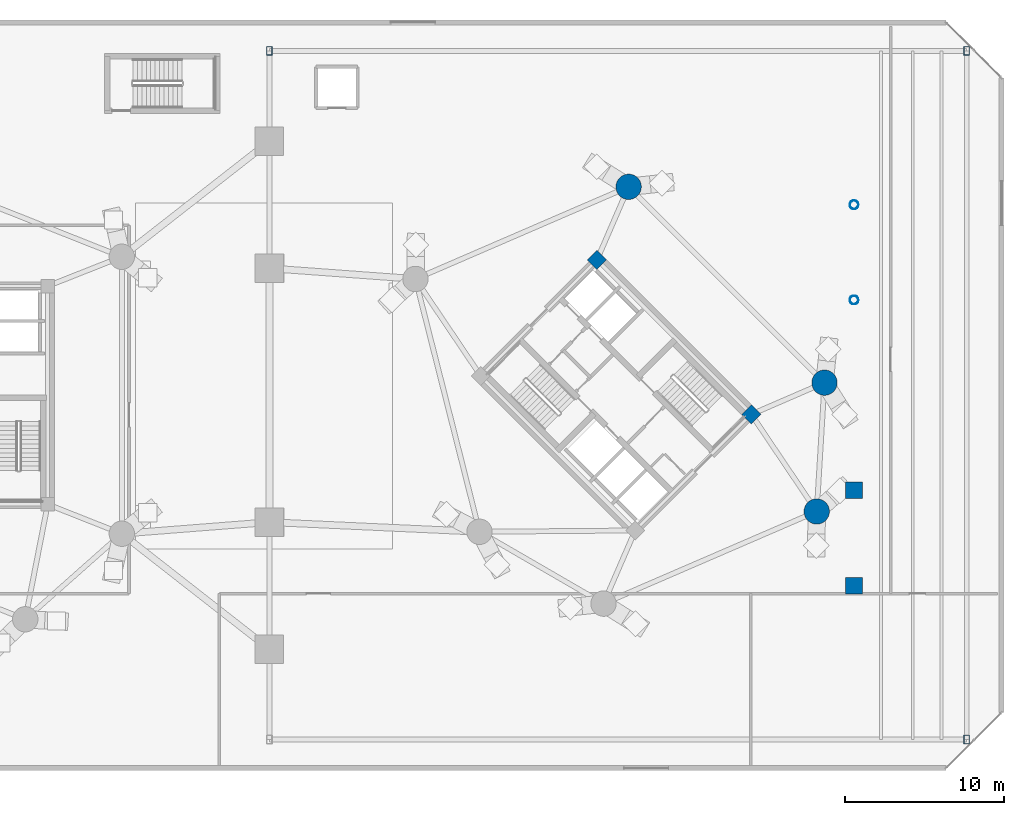
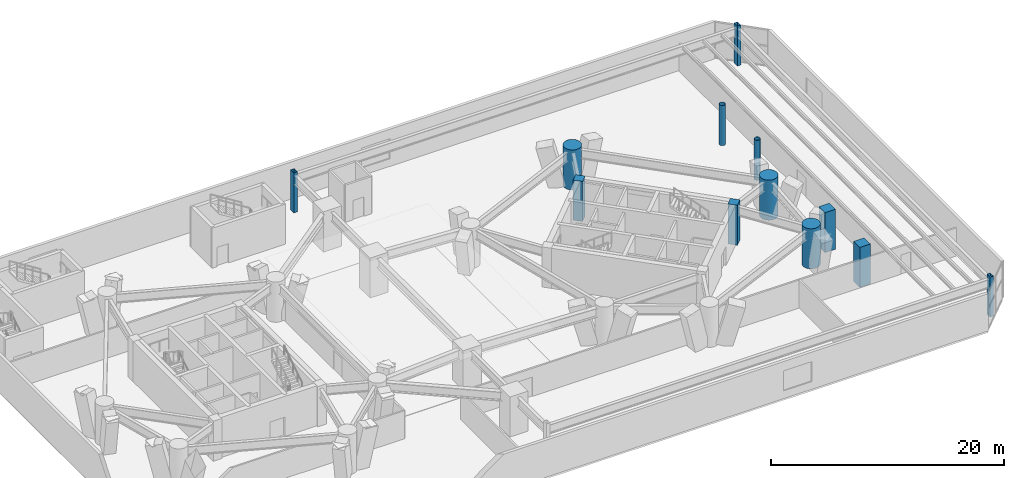
# One storey, part 2 of 20: 12 columns.
"""IFC4 building model written with IfcOpenShell, lengths in metres."""

from ifc_helpers import new_model, si_unit, direction, frame, origin, origin_2d, place, context, subcontext, project, spatial, rectangle, hollow_rectangle, circle, hollow_circle, extrude, material, material_profile, profile_set, type_object, element, save


model = new_model("IFC4")

# Units and contexts
model_context = context("Model", 3, precision=1e-05, world=origin(), true_north=direction((0.0, 1.0)))
body_context = subcontext(model_context, "Body", "Model", "MODEL_VIEW")
ifc_project = project(units=[si_unit("LENGTHUNIT", "METRE"), si_unit("AREAUNIT", "SQUARE_METRE"), si_unit("VOLUMEUNIT", "CUBIC_METRE"), si_unit("PLANEANGLEUNIT", "RADIAN"), si_unit("MASSUNIT", "GRAM", prefix="KILO")], contexts=[model_context])

# Site, building, storey
site_placement = place(None, origin())
site = spatial("IfcSite", under=ifc_project, at=site_placement, CompositionType="ELEMENT")
building_placement = place(site_placement, origin())
building = spatial("IfcBuilding", under=site, at=building_placement, Name="Cununo Teusaquillo Station Towers", CompositionType="ELEMENT")
storey_placement = place(building_placement, frame((0.0, 0.0, 4.800048828125)))
storey = spatial("IfcBuildingStorey", under=building, at=storey_placement, Name="L01", CompositionType="ELEMENT", Elevation=4.800048828125)

# Columns
ifc_material_1 = material(Name="Concrete C50/60", Category="concrete")
ifc_material_profile_1 = material_profile(ifc_material_1, rectangle(XDim=0.85009765625, YDim=0.85009765625, at=origin_2d()), Name="RC-RECT-850x850")
ifc_profile_set_1 = profile_set([ifc_material_profile_1], Name="Concrete C50/60")
column_type_1 = type_object("IfcColumnType", Name="COL-CORE-Z1", PredefinedType="COLUMN", material=ifc_profile_set_1)
for number, where, z_axis, x_axis, name in (
    (1, (66.024169921875, 23.29443359375, 0.0), (0.0, 0.0, 1.0), (0.707106781187, 0.707106781187, 0.0), "L01 Tower B Core Column 3"),
    (2, (56.29443359375, 33.024169921875, 0.0), (0.0, 0.0, 1.0), (0.707106781187, 0.707106781187, 0.0), "L01 Tower B Core Column 4"),
):
    element("IfcColumn", number, at=place(storey_placement, frame(where, z_axis=z_axis, x_axis=x_axis)), inside=storey, type_object=column_type_1, Name=name, PredefinedType="COLUMN", context=body_context, shape_type="SweptSolid", body=[
        extrude(rectangle(XDim=0.85009765625, YDim=0.85009765625, at=origin_2d()), origin(), (0.0, 0.0, 1.0), 4.199951171875),
    ])
ifc_material_2 = material(Name="Concrete C60/75", Category="concrete")
ifc_material_profile_2 = material_profile(ifc_material_2, circle(Radius=0.800048828125, at=origin_2d()), Name="RC-CIRC-1600")
ifc_profile_set_2 = profile_set([ifc_material_profile_2], Name="Concrete C60/75")
column_type_2 = type_object("IfcColumnType", Name="COL-MEGA-POD", PredefinedType="USERDEFINED", material=ifc_profile_set_2)
for number, where, z_axis, x_axis, name in (
    (3, (58.291015625, 37.63525390625, 0.0), (0.0, 0.0, 1.0), (1.0, 0.0, 0.0), "L01 Tower B Perimeter Column V02"),
    (4, (70.146240234375, 17.173095703125, 0.0), (0.0, 0.0, 1.0), (1.0, 0.0, 0.0), "L01 Tower B Perimeter Column V16"),
    (5, (70.63525390625, 25.291015625, 0.0), (0.0, 0.0, 1.0), (1.0, 0.0, 0.0), "L01 Tower B Perimeter Column V18"),
):
    element("IfcColumn", number, at=place(storey_placement, frame(where, z_axis=z_axis, x_axis=x_axis)), inside=storey, type_object=column_type_2, Name=name, ObjectType="MEGA COLUMN", PredefinedType="USERDEFINED", context=body_context, shape_type="SweptSolid", body=[
        extrude(circle(Radius=0.800048828125, at=origin_2d()), origin(), (0.0, 0.0, 1.0), 4.199951171875),
    ])
ifc_material_3 = material(Name="Steel ASTM A572 Grade 50", Category="steel")
ifc_material_profile_3 = material_profile(ifc_material_3, hollow_rectangle(XDim=0.35009765625, YDim=0.550048828125, WallThickness=0.02197265625, at=origin_2d()), Name="RHS 550x350x22")
ifc_profile_set_3 = profile_set([ifc_material_profile_3], Name="Steel ASTM A572 Grade 50")
column_type_3 = type_object("IfcColumnType", Name="COL-PILASTER", PredefinedType="PILASTER", material=ifc_profile_set_3)
for number, where, z_axis, x_axis, name in (
    (6, (35.64990234375, 46.199951171875, 0.0), (0.0, 0.0, 1.0), (1.0, 0.0, 0.0), "L01 Station Hall Pilaster PIL-NW"),
    (7, (79.60009765625, 46.199951171875, 0.0), (0.0, 0.0, 1.0), (1.0, 0.0, 0.0), "L01 Station Hall Pilaster PIL-NE"),
    (8, (79.60009765625, 2.800048828125, 0.0), (0.0, 0.0, 1.0), (1.0, 0.0, 0.0), "L01 Station Hall Pilaster PIL-SE"),
):
    element("IfcColumn", number, at=place(storey_placement, frame(where, z_axis=z_axis, x_axis=x_axis)), inside=storey, type_object=column_type_3, Name=name, PredefinedType="PILASTER", context=body_context, shape_type="SweptSolid", body=[
        extrude(hollow_rectangle(XDim=0.35009765625, YDim=0.550048828125, WallThickness=0.02197265625, at=origin_2d()), origin(), (0.0, 0.0, 1.0), 4.199951171875),
    ])
ifc_material_4 = material(Name="Concrete C50/60", Category="concrete")
ifc_material_profile_4 = material_profile(ifc_material_4, rectangle(XDim=1.050048828125, YDim=1.050048828125, at=origin_2d()), Name="RC-RECT-1050x1050")
ifc_profile_set_4 = profile_set([ifc_material_profile_4], Name="Concrete C50/60")
column_type_4 = type_object("IfcColumnType", Name="COL-XFER-T2", PredefinedType="COLUMN", material=ifc_profile_set_4)
for number, where, z_axis, x_axis, name in (
    (9, (72.5, 12.5, 0.0), (0.0, 0.0, 1.0), (1.0, 0.0, 0.0), "L01 East Station Gallery Column 1"),
    (10, (72.5, 18.5, 0.0), (0.0, 0.0, 1.0), (1.0, 0.0, 0.0), "L01 East Station Gallery Column 2"),
):
    element("IfcColumn", number, at=place(storey_placement, frame(where, z_axis=z_axis, x_axis=x_axis)), inside=storey, type_object=column_type_4, Name=name, PredefinedType="COLUMN", context=body_context, shape_type="SweptSolid", body=[
        extrude(rectangle(XDim=1.050048828125, YDim=1.050048828125, at=origin_2d()), origin(), (0.0, 0.0, 1.0), 4.199951171875),
    ])
ifc_material_5 = material(Name="Steel EN 10025-2 S355J2", Category="steel")
ifc_material_profile_5 = material_profile(ifc_material_5, hollow_circle(Radius=0.279541015625, WallThickness=0.02001953125, at=origin_2d()), Name="CHS 559x20")
ifc_profile_set_5 = profile_set([ifc_material_profile_5], Name="Steel EN 10025-2 S355J2")
column_type_5 = type_object("IfcColumnType", Name="COL-XFER-T3", PredefinedType="COLUMN", material=ifc_profile_set_5)
for number, where, z_axis, x_axis, name in (
    (11, (72.5, 30.5, 0.0), (0.0, 0.0, 1.0), (1.0, 0.0, 0.0), "L01 East Station Gallery Column 3"),
    (12, (72.5, 36.5, 0.0), (0.0, 0.0, 1.0), (1.0, 0.0, 0.0), "L01 East Station Gallery Column 4"),
):
    element("IfcColumn", number, at=place(storey_placement, frame(where, z_axis=z_axis, x_axis=x_axis)), inside=storey, type_object=column_type_5, Name=name, PredefinedType="COLUMN", context=body_context, shape_type="SweptSolid", body=[
        extrude(hollow_circle(Radius=0.279541015625, WallThickness=0.02001953125, at=origin_2d()), origin(), (0.0, 0.0, 1.0), 4.199951171875),
    ])

save(model, "model.ifc")
